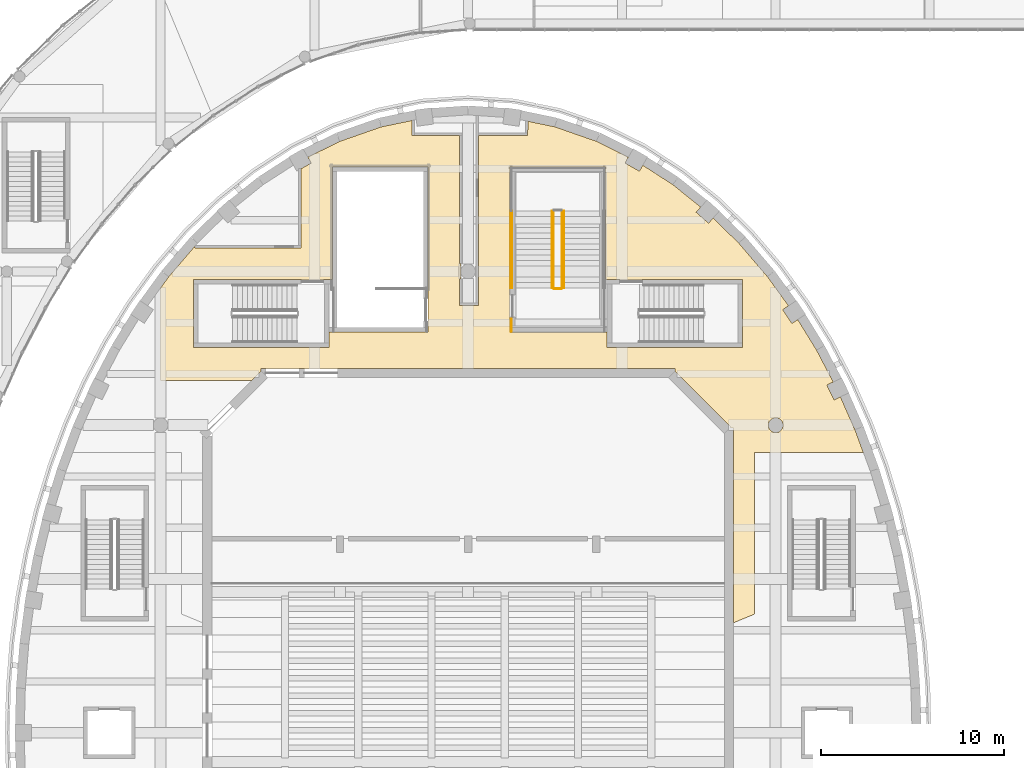
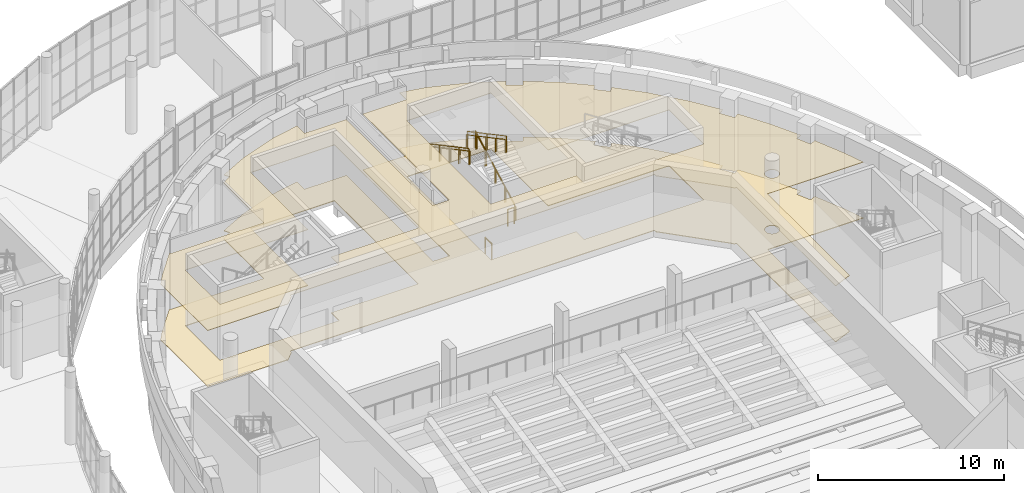
# One storey, part 111 of 119: 8 railings, 2 coverings.
"""IFC4 building model written with IfcOpenShell, lengths in metres."""

from ifc_helpers import new_model, si_unit, direction, frame, origin, origin_2d, place, context, subcontext, project, spatial, polyline, circle, outline, extrude, material, layer, layer_set, type_object, element, save


model = new_model("IFC4")

# Units and contexts
model_context = context("Model", 3, precision=1e-05, world=origin(), true_north=direction((0.0, 1.0)))
body_context = subcontext(model_context, "Body", "Model", "MODEL_VIEW")
ifc_project = project(units=[si_unit("LENGTHUNIT", "METRE"), si_unit("AREAUNIT", "SQUARE_METRE"), si_unit("VOLUMEUNIT", "CUBIC_METRE"), si_unit("PLANEANGLEUNIT", "RADIAN"), si_unit("MASSUNIT", "GRAM", prefix="KILO")], contexts=[model_context])

# Site, building, storey
site_placement = place(None, origin())
site = spatial("IfcSite", under=ifc_project, at=site_placement, CompositionType="ELEMENT")
building_placement = place(site_placement, origin())
building = spatial("IfcBuilding", under=site, at=building_placement, Name="Larchfold Concert Hall", CompositionType="ELEMENT")
storey_placement = place(building_placement, frame((0.0, 0.0, 4.800048828125)))
storey = spatial("IfcBuildingStorey", under=building, at=storey_placement, Name="L01", CompositionType="ELEMENT", Elevation=4.800048828125)

# Coverings
ifc_material_1 = material(Name="Plasterboard ceiling lining")
ifc_layer_1 = layer(ifc_material_1, 0.030029296875)
ifc_layer_set_1 = layer_set([ifc_layer_1], Name="Plasterboard ceiling lining")
covering_type_1 = type_object("IfcCoveringType", Name="Ceiling suspended plasterboard 30", PredefinedType="CEILING", material=ifc_layer_set_1)
covering_1_placement = place(storey_placement, frame((0.0, 0.0, 3.669921875)))
element("IfcCovering", 1, at=covering_1_placement, inside=storey, type_object=covering_type_1, Name="Ceiling Hall Foyer North East", PredefinedType="CEILING", context=body_context, shape_type="SweptSolid", body=[
    extrude(outline(polyline([(27.69091796875, 111.149169921875), (27.646240234375, 111.149169921875), (26.246337890625, 109.514892578125), (25.800537109375, 108.8994140625), (25.801025390625, 103.850830078125), (30.79736328125, 103.850830078125), (31.300048828125, 104.353515625), (31.300048828125, 104.5), (53.89990234375, 104.5), (53.89990234375, 104.353759765625), (56.9541015625, 101.299560546875), (56.92578125, 101.271240234375), (56.945556640625, 101.251220703125), (57.10009765625, 101.251220703125), (57.10009765625, 90.60595703125), (58.25, 91.082275390625), (58.252197265625, 99.896240234375), (64.19384765625, 99.900146484375), (63.732177734375, 101.149169921875), (62.937255859375, 102.948974609375), (62.58984375, 102.781982421875), (62.199951171875, 103.59326171875), (62.546875, 103.759765625), (61.635986328125, 105.502685546875), (60.606201171875, 107.17626953125), (60.287353515625, 106.963623046875), (59.787841796875, 107.712158203125), (60.10595703125, 107.924560546875), (58.953857421875, 109.514892578125), (57.385009765625, 111.346435546875), (55.983154296875, 112.717041015625), (55.7314453125, 112.434326171875), (55.059326171875, 113.03271484375), (55.31005859375, 113.314453125), (53.78564453125, 114.541748046875), (52.142333984375, 115.600830078125), (51.95703125, 115.275390625), (51.1748046875, 115.72021484375), (51.359130859375, 116.04443359375), (49.609375, 116.907470703125), (47.34130859375, 117.697509765625), (45.8623046875, 118.004150390625), (45.8544921875, 117.236572265625), (43.16357421875, 117.236572265625), (43.16357421875, 117.299072265625), (43.156494140625, 108.0634765625), (43.102294921875, 108.0634765625), (43.156982421875, 108.06298828125), (43.156005859375, 107.93798828125), (42.135986328125, 107.947021484375), (42.136474609375, 109.380126953125), (42.198974609375, 109.380126953125), (42.198974609375, 110.219970703125), (42.136474609375, 110.219970703125), (42.136474609375, 117.236572265625), (39.546142578125, 117.236083984375), (39.53857421875, 118.0458984375), (37.85888671875, 117.697509765625), (35.592041015625, 116.907958984375), (33.8427734375, 116.041259765625), (34.025390625, 115.72021484375), (33.463134765625, 115.400390625), (33.45849609375, 111.088623046875), (27.69091796875, 111.08642578125), (27.69091796875, 111.149169921875)]), holes=[polyline([(59.29638671875, 101.013427734375), (59.199951171875, 101.053466796875), (59.156494140625, 101.08251953125), (59.08251953125, 101.156494140625), (59.0302734375, 101.246826171875), (59.013427734375, 101.29638671875), (59.00341796875, 101.34765625), (59.00341796875, 101.4521484375), (59.0302734375, 101.552978515625), (59.053466796875, 101.599853515625), (59.08251953125, 101.643310546875), (59.156494140625, 101.71728515625), (59.246826171875, 101.76953125), (59.29638671875, 101.786376953125), (59.39990234375, 101.7998046875), (59.4521484375, 101.79638671875), (59.50341796875, 101.786376953125), (59.599853515625, 101.746337890625), (59.643310546875, 101.71728515625), (59.71728515625, 101.643310546875), (59.76953125, 101.552978515625), (59.786376953125, 101.50341796875), (59.79638671875, 101.4521484375), (59.79638671875, 101.34765625), (59.76953125, 101.246826171875), (59.746337890625, 101.199951171875), (59.71728515625, 101.156494140625), (59.643310546875, 101.08251953125), (59.552978515625, 101.0302734375), (59.50341796875, 101.013427734375), (59.39990234375, 101.0), (59.34765625, 101.00341796875), (59.29638671875, 101.013427734375)]), polyline([(50.10009765625, 109.35009765625), (57.60009765625, 109.35009765625), (57.60009765625, 105.64990234375), (50.199951171875, 105.64990234375), (50.199951171875, 106.5), (44.89990234375, 106.5), (44.89990234375, 115.5), (50.10009765625, 115.5), (50.10009765625, 109.35009765625)]), polyline([(35.0, 105.64990234375), (27.60009765625, 105.64990234375), (27.60009765625, 109.35009765625), (35.199951171875, 109.35009765625), (35.199951171875, 115.5), (40.39990234375, 115.5), (40.39990234375, 106.5), (35.0, 106.5), (35.0, 105.64990234375)])]), origin(), (0.0, 0.0, 1.0), 0.030029296875),
])
ifc_material_2 = material(Name="Polished terrazzo")
ifc_layer_2 = layer(ifc_material_2, 0.0400390625)
ifc_layer_set_2 = layer_set([ifc_layer_2], Name="Polished terrazzo")
covering_type_2 = type_object("IfcCoveringType", Name="Floor finish terrazzo 40", PredefinedType="FLOORING", material=ifc_layer_set_2)
covering_2_placement = place(storey_placement, origin())
element("IfcCovering", 2, at=covering_2_placement, inside=storey, type_object=covering_type_2, Name="Floor finish Hall Foyer North East", PredefinedType="FLOORING", context=body_context, shape_type="SweptSolid", body=[
    extrude(outline(polyline([(27.69091796875, 111.149169921875), (27.646240234375, 111.149169921875), (26.246337890625, 109.514892578125), (25.800537109375, 108.8994140625), (25.801025390625, 103.850830078125), (30.79736328125, 103.850830078125), (31.300048828125, 104.353515625), (31.300048828125, 104.5), (53.89990234375, 104.5), (53.89990234375, 104.353759765625), (56.9541015625, 101.299560546875), (56.92578125, 101.271240234375), (56.945556640625, 101.251220703125), (57.10009765625, 101.251220703125), (57.10009765625, 90.60595703125), (58.25, 91.082275390625), (58.252197265625, 99.896240234375), (64.19384765625, 99.900146484375), (63.732177734375, 101.149169921875), (62.937255859375, 102.948974609375), (62.58984375, 102.781982421875), (62.199951171875, 103.59326171875), (62.546875, 103.759765625), (61.635986328125, 105.502685546875), (60.606201171875, 107.17626953125), (60.287353515625, 106.963623046875), (59.787841796875, 107.712158203125), (60.10595703125, 107.924560546875), (58.953857421875, 109.514892578125), (57.385009765625, 111.346435546875), (55.983154296875, 112.717041015625), (55.7314453125, 112.434326171875), (55.059326171875, 113.03271484375), (55.31005859375, 113.314453125), (53.78564453125, 114.541748046875), (52.142333984375, 115.600830078125), (51.95703125, 115.275390625), (51.1748046875, 115.72021484375), (51.359130859375, 116.04443359375), (49.609375, 116.907470703125), (47.34130859375, 117.697509765625), (45.8623046875, 118.004150390625), (45.8544921875, 117.236572265625), (43.16357421875, 117.236572265625), (43.16357421875, 117.299072265625), (43.156494140625, 108.0634765625), (43.102294921875, 108.0634765625), (43.156982421875, 108.06298828125), (43.156005859375, 107.93798828125), (42.135986328125, 107.947021484375), (42.136474609375, 109.380126953125), (42.198974609375, 109.380126953125), (42.198974609375, 110.219970703125), (42.136474609375, 110.219970703125), (42.136474609375, 117.236572265625), (39.546142578125, 117.236083984375), (39.53857421875, 118.0458984375), (37.85888671875, 117.697509765625), (35.592041015625, 116.907958984375), (33.8427734375, 116.041259765625), (34.025390625, 115.72021484375), (33.463134765625, 115.400390625), (33.45849609375, 111.088623046875), (27.69091796875, 111.08642578125), (27.69091796875, 111.149169921875)]), holes=[polyline([(59.29638671875, 101.013427734375), (59.199951171875, 101.053466796875), (59.156494140625, 101.08251953125), (59.08251953125, 101.156494140625), (59.0302734375, 101.246826171875), (59.013427734375, 101.29638671875), (59.00341796875, 101.34765625), (59.00341796875, 101.4521484375), (59.0302734375, 101.552978515625), (59.053466796875, 101.599853515625), (59.08251953125, 101.643310546875), (59.156494140625, 101.71728515625), (59.246826171875, 101.76953125), (59.29638671875, 101.786376953125), (59.39990234375, 101.7998046875), (59.4521484375, 101.79638671875), (59.50341796875, 101.786376953125), (59.599853515625, 101.746337890625), (59.643310546875, 101.71728515625), (59.71728515625, 101.643310546875), (59.76953125, 101.552978515625), (59.786376953125, 101.50341796875), (59.79638671875, 101.4521484375), (59.79638671875, 101.34765625), (59.76953125, 101.246826171875), (59.746337890625, 101.199951171875), (59.71728515625, 101.156494140625), (59.643310546875, 101.08251953125), (59.552978515625, 101.0302734375), (59.50341796875, 101.013427734375), (59.39990234375, 101.0), (59.34765625, 101.00341796875), (59.29638671875, 101.013427734375)]), polyline([(50.10009765625, 109.35009765625), (57.60009765625, 109.35009765625), (57.60009765625, 105.64990234375), (50.199951171875, 105.64990234375), (50.199951171875, 106.5), (44.89990234375, 106.5), (44.89990234375, 115.5), (50.10009765625, 115.5), (50.10009765625, 109.35009765625)]), polyline([(35.0, 105.64990234375), (27.60009765625, 105.64990234375), (27.60009765625, 109.35009765625), (35.199951171875, 109.35009765625), (35.199951171875, 115.5), (40.39990234375, 115.5), (40.39990234375, 106.5), (35.0, 106.5), (35.0, 105.64990234375)])]), origin(), (0.0, 0.0, 1.0), 0.0400390625),
])

# Railings
ifc_material_3 = material(Name="Stainless steel balustrade", Category="steel")
railing_type_1 = type_object("IfcRailingType", Name="Stair guard 1100", PredefinedType="GUARDRAIL", material=ifc_material_3)
railing_1_placement = place(storey_placement, frame((47.75, 108.89990234375, 0.159912109375)))
element("IfcRailing", 3, at=railing_1_placement, inside=storey, type_object=railing_type_1, Name="Guard GR0107", PredefinedType="GUARDRAIL", context=body_context, shape_type="SweptSolid", body=[
    extrude(circle(Radius=0.02392578125, at=origin_2d()), frame((0.0, 0.0, 1.076171875), z_axis=(0.0, 0.882362879185, 0.470569601054), x_axis=(-1.0, 0.0, 0.0)), (0.0, 0.0, 1.0), 4.76025390625),
    extrude(circle(Radius=0.02099609375, at=origin_2d()), origin(), (0.0, 0.0, 1.0), 1.052001953125),
    extrude(circle(Radius=0.02099609375, at=origin_2d()), frame((0.0, 1.050048828125, 0.56005859375)), (0.0, 0.0, 1.0), 1.052001953125),
    extrude(circle(Radius=0.02099609375, at=origin_2d()), frame((0.0, 2.10009765625, 1.1201171875)), (0.0, 0.0, 1.0), 1.052001953125),
    extrude(circle(Radius=0.02099609375, at=origin_2d()), frame((0.0, 3.150146484375, 1.679931640625)), (0.0, 0.0, 1.0), 1.052001953125),
    extrude(circle(Radius=0.02099609375, at=origin_2d()), frame((0.0, 4.2001953125, 2.239990234375)), (0.0, 0.0, 1.0), 1.052001953125),
])
railing_2_placement = place(storey_placement, frame((47.25, 113.10009765625, 2.56005859375)))
element("IfcRailing", 4, at=railing_2_placement, inside=storey, type_object=railing_type_1, Name="Guard GR0112", PredefinedType="GUARDRAIL", context=body_context, shape_type="SweptSolid", body=[
    extrude(circle(Radius=0.02392578125, at=origin_2d()), frame((0.0, 0.0, 1.076171875), z_axis=(0.0, -0.882362879185, 0.470569601054), x_axis=(1.0, 0.0, 0.0)), (0.0, 0.0, 1.0), 4.76025390625),
    extrude(circle(Radius=0.02099609375, at=origin_2d()), origin(), (0.0, 0.0, 1.0), 1.052001953125),
    extrude(circle(Radius=0.02099609375, at=origin_2d()), frame((0.0, -1.050048828125, 0.56005859375)), (0.0, 0.0, 1.0), 1.052001953125),
    extrude(circle(Radius=0.02099609375, at=origin_2d()), frame((0.0, -2.10009765625, 1.1201171875)), (0.0, 0.0, 1.0), 1.052001953125),
    extrude(circle(Radius=0.02099609375, at=origin_2d()), frame((0.0, -3.150146484375, 1.679931640625)), (0.0, 0.0, 1.0), 1.052001953125),
    extrude(circle(Radius=0.02099609375, at=origin_2d()), frame((0.0, -4.2001953125, 2.239990234375)), (0.0, 0.0, 1.0), 1.052001953125),
])
railing_3_placement = place(storey_placement, frame((47.7001953125, 108.85009765625, 0.0)))
element("IfcRailing", 5, at=railing_3_placement, inside=storey, type_object=railing_type_1, Name="Guard GR0113", PredefinedType="GUARDRAIL", context=body_context, shape_type="SweptSolid", body=[
    extrude(circle(Radius=0.02392578125, at=origin_2d()), frame((0.0, 0.0, 1.076171875), z_axis=(-1.0, 0.0, 0.0), x_axis=(0.0, -1.0, 0.0)), (0.0, 0.0, 1.0), 0.400146484375),
    extrude(circle(Radius=0.02099609375, at=origin_2d()), origin(), (0.0, 0.0, 1.0), 1.052001953125),
    extrude(circle(Radius=0.02099609375, at=origin_2d()), frame((-0.400146484375, 0.0, 0.0)), (0.0, 0.0, 1.0), 1.052001953125),
])
railing_4_placement = place(storey_placement, frame((44.9501953125, 106.5, 0.0)))
element("IfcRailing", 6, at=railing_4_placement, inside=storey, type_object=railing_type_1, Name="Guard GR0115", PredefinedType="GUARDRAIL", context=body_context, shape_type="SweptSolid", body=[
    extrude(circle(Radius=0.02392578125, at=origin_2d()), frame((0.0, 0.0, 1.076171875), z_axis=(0.0, 1.0, 0.0), x_axis=(-1.0, 0.0, 0.0)), (0.0, 0.0, 1.0), 0.7001953125),
    extrude(circle(Radius=0.02099609375, at=origin_2d()), origin(), (0.0, 0.0, 1.0), 1.052001953125),
    extrude(circle(Radius=0.02099609375, at=origin_2d()), frame((0.0, 0.7001953125, 0.0)), (0.0, 0.0, 1.0), 1.052001953125),
])
railing_5_placement = place(storey_placement, frame((44.920166015625, 113.10009765625, 2.56005859375)))
element("IfcRailing", 7, at=railing_5_placement, inside=storey, type_object=railing_type_1, Name="Guard GR0117", PredefinedType="GUARDRAIL", context=body_context, shape_type="SweptSolid", body=[
    extrude(circle(Radius=0.02392578125, at=origin_2d()), frame((0.0, 0.0, 1.076171875), z_axis=(0.0, -0.882362879185, 0.470569601054), x_axis=(1.0, 0.0, 0.0)), (0.0, 0.0, 1.0), 4.76025390625),
    extrude(circle(Radius=0.02099609375, at=origin_2d()), origin(), (0.0, 0.0, 1.0), 1.052001953125),
    extrude(circle(Radius=0.02099609375, at=origin_2d()), frame((0.0, -1.050048828125, 0.56005859375)), (0.0, 0.0, 1.0), 1.052001953125),
    extrude(circle(Radius=0.02099609375, at=origin_2d()), frame((0.0, -2.10009765625, 1.1201171875)), (0.0, 0.0, 1.0), 1.052001953125),
    extrude(circle(Radius=0.02099609375, at=origin_2d()), frame((0.0, -3.150146484375, 1.679931640625)), (0.0, 0.0, 1.0), 1.052001953125),
    extrude(circle(Radius=0.02099609375, at=origin_2d()), frame((0.0, -4.2001953125, 2.239990234375)), (0.0, 0.0, 1.0), 1.052001953125),
])
ifc_material_4 = material(Name="Stainless steel handrail", Category="steel")
railing_type_2 = type_object("IfcRailingType", Name="Stair handrail 900", PredefinedType="HANDRAIL", material=ifc_material_4)
railing_6_placement = place(storey_placement, frame((47.820068359375, 108.89990234375, 0.159912109375)))
element("IfcRailing", 8, at=railing_6_placement, inside=storey, type_object=railing_type_2, Name="Handrail HR0097", PredefinedType="HANDRAIL", context=body_context, shape_type="SweptSolid", body=[
    extrude(circle(Radius=0.02392578125, at=origin_2d()), frame((0.0, 0.0, 0.8759765625), z_axis=(0.0, 0.882362879185, 0.470569601054), x_axis=(-1.0, 0.0, 0.0)), (0.0, 0.0, 1.0), 4.76025390625),
    extrude(circle(Radius=0.02099609375, at=origin_2d()), origin(), (0.0, 0.0, 1.0), 0.851806640625),
    extrude(circle(Radius=0.02099609375, at=origin_2d()), frame((0.0, 1.050048828125, 0.56005859375)), (0.0, 0.0, 1.0), 0.851806640625),
    extrude(circle(Radius=0.02099609375, at=origin_2d()), frame((0.0, 2.10009765625, 1.1201171875)), (0.0, 0.0, 1.0), 0.851806640625),
    extrude(circle(Radius=0.02099609375, at=origin_2d()), frame((0.0, 3.150146484375, 1.679931640625)), (0.0, 0.0, 1.0), 0.851806640625),
    extrude(circle(Radius=0.02099609375, at=origin_2d()), frame((0.0, 4.2001953125, 2.239990234375)), (0.0, 0.0, 1.0), 0.851806640625),
])
for number, where, name in (
    (9, (47.18017578125, 113.10009765625, 2.56005859375), "Handrail HR0099"),
    (10, (44.989990234375, 113.10009765625, 2.56005859375), "Handrail HR0100"),
):
    element("IfcRailing", number, at=place(storey_placement, frame(where)), inside=storey, type_object=railing_type_2, Name=name, PredefinedType="HANDRAIL", context=body_context, shape_type="SweptSolid", body=[
        extrude(circle(Radius=0.02392578125, at=origin_2d()), frame((0.0, 0.0, 0.8759765625), z_axis=(0.0, -0.882362879185, 0.470569601054), x_axis=(1.0, 0.0, 0.0)), (0.0, 0.0, 1.0), 4.76025390625),
        extrude(circle(Radius=0.02099609375, at=origin_2d()), origin(), (0.0, 0.0, 1.0), 0.851806640625),
        extrude(circle(Radius=0.02099609375, at=origin_2d()), frame((0.0, -1.050048828125, 0.56005859375)), (0.0, 0.0, 1.0), 0.851806640625),
        extrude(circle(Radius=0.02099609375, at=origin_2d()), frame((0.0, -2.10009765625, 1.1201171875)), (0.0, 0.0, 1.0), 0.851806640625),
        extrude(circle(Radius=0.02099609375, at=origin_2d()), frame((0.0, -3.150146484375, 1.679931640625)), (0.0, 0.0, 1.0), 0.851806640625),
        extrude(circle(Radius=0.02099609375, at=origin_2d()), frame((0.0, -4.2001953125, 2.239990234375)), (0.0, 0.0, 1.0), 0.851806640625),
    ])

save(model, "model.ifc")
